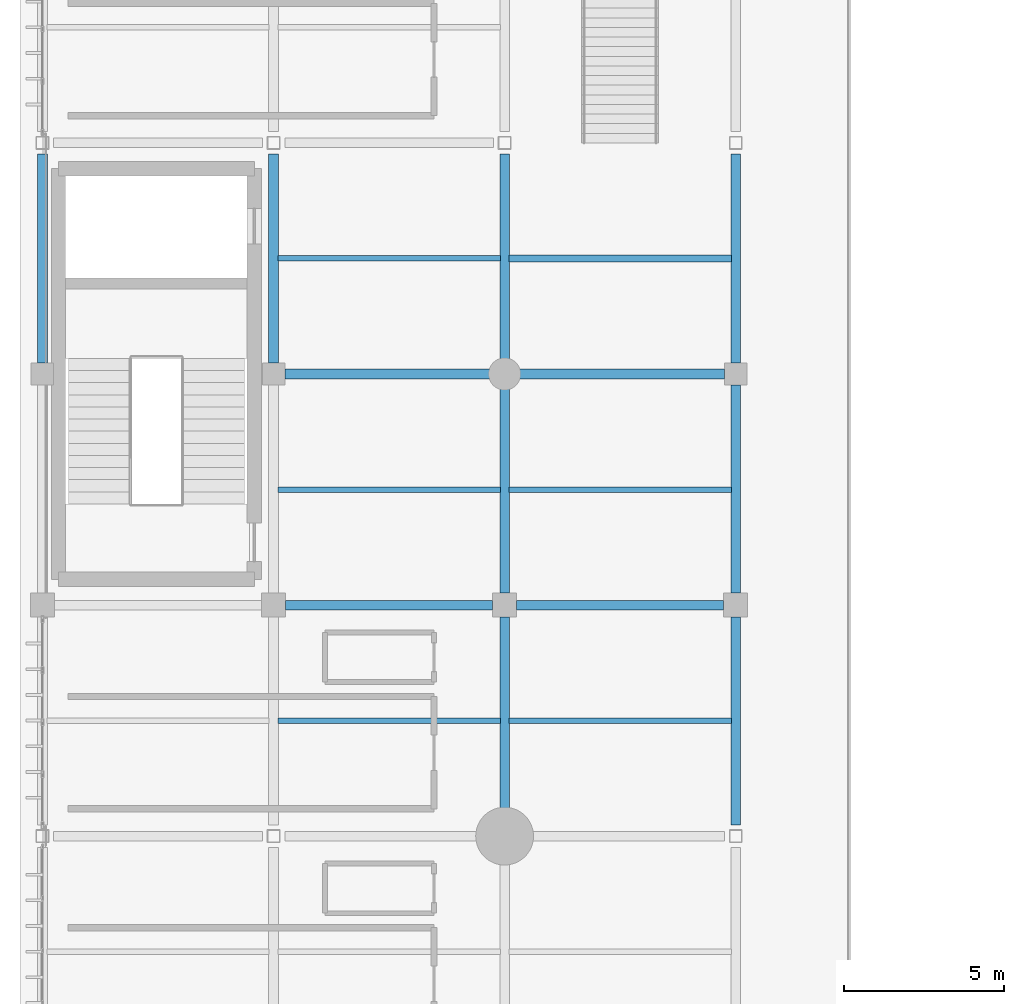
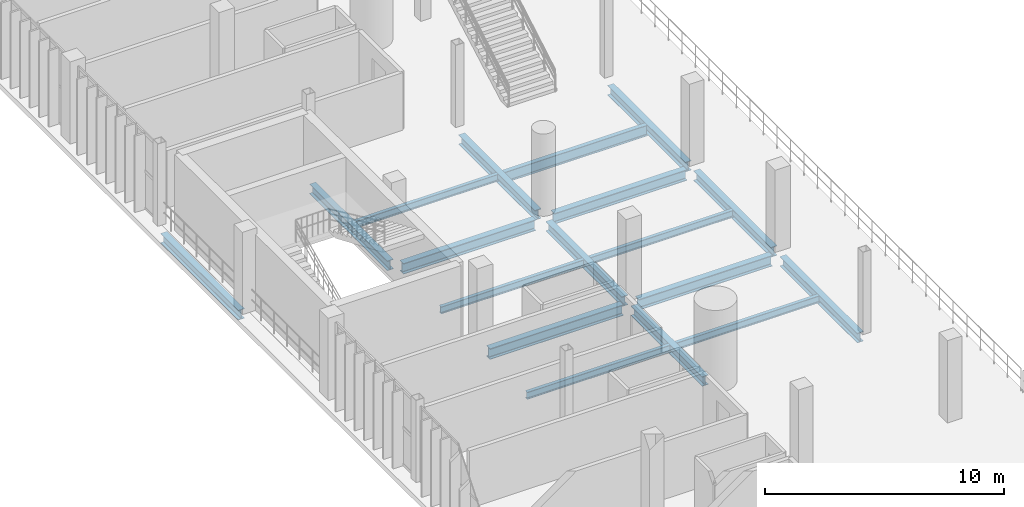
# One storey, part 29 of 130: 18 beams.
"""IFC4 building model written with IfcOpenShell, lengths in metres."""

from ifc_helpers import new_model, si_unit, direction, frame, origin, origin_2d, place, context, subcontext, project, spatial, i_section, extrude, material, material_profile, profile_set, type_object, element, save


model = new_model("IFC4")

# Units and contexts
model_context = context("Model", 3, precision=1e-05, world=origin(), true_north=direction((0.0, 1.0)))
body_context = subcontext(model_context, "Body", "Model", "MODEL_VIEW")
ifc_project = project(units=[si_unit("LENGTHUNIT", "METRE"), si_unit("AREAUNIT", "SQUARE_METRE"), si_unit("VOLUMEUNIT", "CUBIC_METRE"), si_unit("PLANEANGLEUNIT", "RADIAN"), si_unit("MASSUNIT", "GRAM", prefix="KILO")], contexts=[model_context])

# Site, building, storey
site_placement = place(None, origin())
site = spatial("IfcSite", under=ifc_project, at=site_placement, CompositionType="ELEMENT")
building_placement = place(site_placement, origin())
building = spatial("IfcBuilding", under=site, at=building_placement, Name="Qandorah Velis Arena", CompositionType="ELEMENT")
storey_placement = place(building_placement, frame((0.0, 0.0, 9.60009765625)))
storey = spatial("IfcBuildingStorey", under=building, at=storey_placement, Name="L02", CompositionType="ELEMENT", Elevation=9.60009765625)

# Beams
ifc_material = material(Name="Steel S355", Category="steel")
ifc_material_profile_1 = material_profile(ifc_material, i_section(OverallWidth=0.300048828125, OverallDepth=0.5, WebThickness=0.014404296875, FlangeThickness=0.028076171875, FilletRadius=0.027099609375, at=origin_2d()), Name="HEB 500")
ifc_profile_set_1 = profile_set([ifc_material_profile_1], Name="Steel S355")
beam_type_1 = type_object("IfcBeamType", Name="STR-BM-HEB500", PredefinedType="BEAM", material=ifc_profile_set_1)
for number, where, z_axis, x_axis, name in (
    (1, (0.0, 43.550048828125, -0.530029296875), (0.0, 1.0, 0.0), (-1.0, 0.0, 0.0), "Primary floor girder L02 Y-188"),
    (2, (7.199951171875, 43.550048828125, -0.530029296875), (0.0, 1.0, 0.0), (-1.0, 0.0, 0.0), "Primary floor girder L02 Y-202"),
):
    element("IfcBeam", number, at=place(storey_placement, frame(where, z_axis=z_axis, x_axis=x_axis)), inside=storey, type_object=beam_type_1, Name=name, PredefinedType="BEAM", context=body_context, shape_type="SweptSolid", body=[
        extrude(i_section(OverallWidth=0.300048828125, OverallDepth=0.5, WebThickness=0.014404296875, FlangeThickness=0.028076171875, FilletRadius=0.027099609375, at=origin_2d()), origin(), (0.0, 0.0, 1.0), 6.5),
    ])
beam_1_placement = place(storey_placement, frame((14.39990234375, 29.64990234375, -0.530029296875), z_axis=(0.0, 1.0, 0.0), x_axis=(-1.0, 0.0, 0.0)))
element("IfcBeam", 3, at=beam_1_placement, inside=storey, type_object=beam_type_1, Name="Primary floor girder L02 Y-214", PredefinedType="BEAM", context=body_context, shape_type="SweptSolid", body=[
    extrude(i_section(OverallWidth=0.300048828125, OverallDepth=0.5, WebThickness=0.014404296875, FlangeThickness=0.028076171875, FilletRadius=0.027099609375, at=origin_2d()), origin(), (0.0, 0.0, 1.0), 5.97509765625),
])
beam_2_placement = place(storey_placement, frame((14.39990234375, 36.375, -0.530029296875), z_axis=(0.0, 1.0, 0.0), x_axis=(-1.0, 0.0, 0.0)))
element("IfcBeam", 4, at=beam_2_placement, inside=storey, type_object=beam_type_1, Name="Primary floor girder L02 Y-215", PredefinedType="BEAM", context=body_context, shape_type="SweptSolid", body=[
    extrude(i_section(OverallWidth=0.300048828125, OverallDepth=0.5, WebThickness=0.014404296875, FlangeThickness=0.028076171875, FilletRadius=0.027099609375, at=origin_2d()), origin(), (0.0, 0.0, 1.0), 6.375),
])
beam_3_placement = place(storey_placement, frame((14.39990234375, 43.64990234375, -0.530029296875), z_axis=(0.0, 1.0, 0.0), x_axis=(-1.0, 0.0, 0.0)))
element("IfcBeam", 5, at=beam_3_placement, inside=storey, type_object=beam_type_1, Name="Primary floor girder L02 Y-216", PredefinedType="BEAM", context=body_context, shape_type="SweptSolid", body=[
    extrude(i_section(OverallWidth=0.300048828125, OverallDepth=0.5, WebThickness=0.014404296875, FlangeThickness=0.028076171875, FilletRadius=0.027099609375, at=origin_2d()), origin(), (0.0, 0.0, 1.0), 6.400146484375),
])
for number, where, z_axis, x_axis, name in (
    (6, (21.60009765625, 29.14990234375, -0.530029296875), (0.0, 1.0, 0.0), (-1.0, 0.0, 0.0), "Primary floor girder L02 Y-228"),
    (7, (21.60009765625, 36.375, -0.530029296875), (0.0, 1.0, 0.0), (-1.0, 0.0, 0.0), "Primary floor girder L02 Y-229"),
):
    element("IfcBeam", number, at=place(storey_placement, frame(where, z_axis=z_axis, x_axis=x_axis)), inside=storey, type_object=beam_type_1, Name=name, PredefinedType="BEAM", context=body_context, shape_type="SweptSolid", body=[
        extrude(i_section(OverallWidth=0.300048828125, OverallDepth=0.5, WebThickness=0.014404296875, FlangeThickness=0.028076171875, FilletRadius=0.027099609375, at=origin_2d()), origin(), (0.0, 0.0, 1.0), 6.47509765625),
    ])
beam_4_placement = place(storey_placement, frame((21.60009765625, 43.550048828125, -0.530029296875), z_axis=(0.0, 1.0, 0.0), x_axis=(-1.0, 0.0, 0.0)))
element("IfcBeam", 8, at=beam_4_placement, inside=storey, type_object=beam_type_1, Name="Primary floor girder L02 Y-230", PredefinedType="BEAM", context=body_context, shape_type="SweptSolid", body=[
    extrude(i_section(OverallWidth=0.300048828125, OverallDepth=0.5, WebThickness=0.014404296875, FlangeThickness=0.028076171875, FilletRadius=0.027099609375, at=origin_2d()), origin(), (0.0, 0.0, 1.0), 6.5),
])
ifc_material_profile_2 = material_profile(ifc_material, i_section(OverallWidth=0.300048828125, OverallDepth=0.550048828125, WebThickness=0.014892578125, FlangeThickness=0.029052734375, FilletRadius=0.027099609375, at=origin_2d()), Name="HEB 550")
ifc_profile_set_2 = profile_set([ifc_material_profile_2], Name="Steel S355")
beam_type_2 = type_object("IfcBeamType", Name="STR-BM-HEB550", PredefinedType="BEAM", material=ifc_profile_set_2)
beam_5_placement = place(storey_placement, frame((7.574951171875, 36.0, -0.55517578125), z_axis=(1.0, 0.0, 0.0), x_axis=(0.0, 1.0, 0.0)))
element("IfcBeam", 9, at=beam_5_placement, inside=storey, type_object=beam_type_2, Name="Primary floor girder L02 X-063", PredefinedType="BEAM", context=body_context, shape_type="SweptSolid", body=[
    extrude(i_section(OverallWidth=0.300048828125, OverallDepth=0.550048828125, WebThickness=0.014892578125, FlangeThickness=0.029052734375, FilletRadius=0.027099609375, at=origin_2d()), origin(), (0.0, 0.0, 1.0), 6.449951171875),
])
beam_6_placement = place(storey_placement, frame((14.77490234375, 36.0, -0.55517578125), z_axis=(1.0, 0.0, 0.0), x_axis=(0.0, 1.0, 0.0)))
element("IfcBeam", 10, at=beam_6_placement, inside=storey, type_object=beam_type_2, Name="Primary floor girder L02 X-064", PredefinedType="BEAM", context=body_context, shape_type="SweptSolid", body=[
    extrude(i_section(OverallWidth=0.300048828125, OverallDepth=0.550048828125, WebThickness=0.014892578125, FlangeThickness=0.029052734375, FilletRadius=0.027099609375, at=origin_2d()), origin(), (0.0, 0.0, 1.0), 6.4501953125),
])
for number, where, z_axis, x_axis, name in (
    (11, (7.550048828125, 43.199951171875, -0.55517578125), (1.0, 0.0, 0.0), (0.0, 1.0, 0.0), "Primary floor girder L02 X-067"),
    (12, (14.85009765625, 43.199951171875, -0.55517578125), (1.0, 0.0, 0.0), (0.0, 1.0, 0.0), "Primary floor girder L02 X-068"),
):
    element("IfcBeam", number, at=place(storey_placement, frame(where, z_axis=z_axis, x_axis=x_axis)), inside=storey, type_object=beam_type_2, Name=name, PredefinedType="BEAM", context=body_context, shape_type="SweptSolid", body=[
        extrude(i_section(OverallWidth=0.300048828125, OverallDepth=0.550048828125, WebThickness=0.014892578125, FlangeThickness=0.029052734375, FilletRadius=0.027099609375, at=origin_2d()), origin(), (0.0, 0.0, 1.0), 6.39990234375),
    ])
ifc_material_profile_3 = material_profile(ifc_material, i_section(OverallWidth=0.169921875, OverallDepth=0.360107421875, WebThickness=0.008056640625, FlangeThickness=0.0126953125, FilletRadius=0.01806640625, at=origin_2d()), Name="IPE 360")
ifc_profile_set_3 = profile_set([ifc_material_profile_3], Name="Steel S355")
beam_type_3 = type_object("IfcBeamType", Name="STR-JST-IPE360", PredefinedType="JOIST", material=ifc_profile_set_3)
for number, where, z_axis, x_axis, name in (
    (13, (7.3349609375, 32.39990234375, -0.460205078125), (1.0, 0.0, 0.0), (0.0, 1.0, 0.0), "Secondary floor joist L02-013"),
    (14, (7.3349609375, 39.60009765625, -0.460205078125), (1.0, 0.0, 0.0), (0.0, 1.0, 0.0), "Secondary floor joist L02-014"),
    (15, (7.3349609375, 46.800048828125, -0.460205078125), (1.0, 0.0, 0.0), (0.0, 1.0, 0.0), "Secondary floor joist L02-015"),
):
    element("IfcBeam", number, at=place(storey_placement, frame(where, z_axis=z_axis, x_axis=x_axis)), inside=storey, type_object=beam_type_3, Name=name, PredefinedType="JOIST", context=body_context, shape_type="SweptSolid", body=[
        extrude(i_section(OverallWidth=0.169921875, OverallDepth=0.360107421875, WebThickness=0.008056640625, FlangeThickness=0.0126953125, FilletRadius=0.01806640625, at=origin_2d()), origin(), (0.0, 0.0, 1.0), 6.929931640625),
    ])
for number, where, z_axis, x_axis, name in (
    (16, (14.534912109375, 32.39990234375, -0.460205078125), (1.0, 0.0, 0.0), (0.0, 1.0, 0.0), "Secondary floor joist L02-027"),
    (17, (14.534912109375, 39.60009765625, -0.460205078125), (1.0, 0.0, 0.0), (0.0, 1.0, 0.0), "Secondary floor joist L02-028"),
):
    element("IfcBeam", number, at=place(storey_placement, frame(where, z_axis=z_axis, x_axis=x_axis)), inside=storey, type_object=beam_type_3, Name=name, PredefinedType="JOIST", context=body_context, shape_type="SweptSolid", body=[
        extrude(i_section(OverallWidth=0.169921875, OverallDepth=0.360107421875, WebThickness=0.008056640625, FlangeThickness=0.0126953125, FilletRadius=0.01806640625, at=origin_2d()), origin(), (0.0, 0.0, 1.0), 6.93017578125),
    ])
ifc_material_profile_4 = material_profile(ifc_material, i_section(OverallWidth=0.2099609375, OverallDepth=0.550048828125, WebThickness=0.010986328125, FlangeThickness=0.01708984375, FilletRadius=0.02392578125, at=origin_2d()), Name="IPE 550")
ifc_profile_set_4 = profile_set([ifc_material_profile_4], Name="Steel S355")
beam_type_4 = type_object("IfcBeamType", Name="STR-JST-IPE550", PredefinedType="JOIST", material=ifc_profile_set_4)
beam_7_placement = place(storey_placement, frame((14.534912109375, 46.800048828125, -0.55517578125), z_axis=(1.0, 0.0, 0.0), x_axis=(0.0, 1.0, 0.0)))
element("IfcBeam", 18, at=beam_7_placement, inside=storey, type_object=beam_type_4, Name="Secondary floor joist L02-029", PredefinedType="JOIST", context=body_context, shape_type="SweptSolid", body=[
    extrude(i_section(OverallWidth=0.2099609375, OverallDepth=0.550048828125, WebThickness=0.010986328125, FlangeThickness=0.01708984375, FilletRadius=0.02392578125, at=origin_2d()), origin(), (0.0, 0.0, 1.0), 6.93017578125),
])

save(model, "model.ifc")
